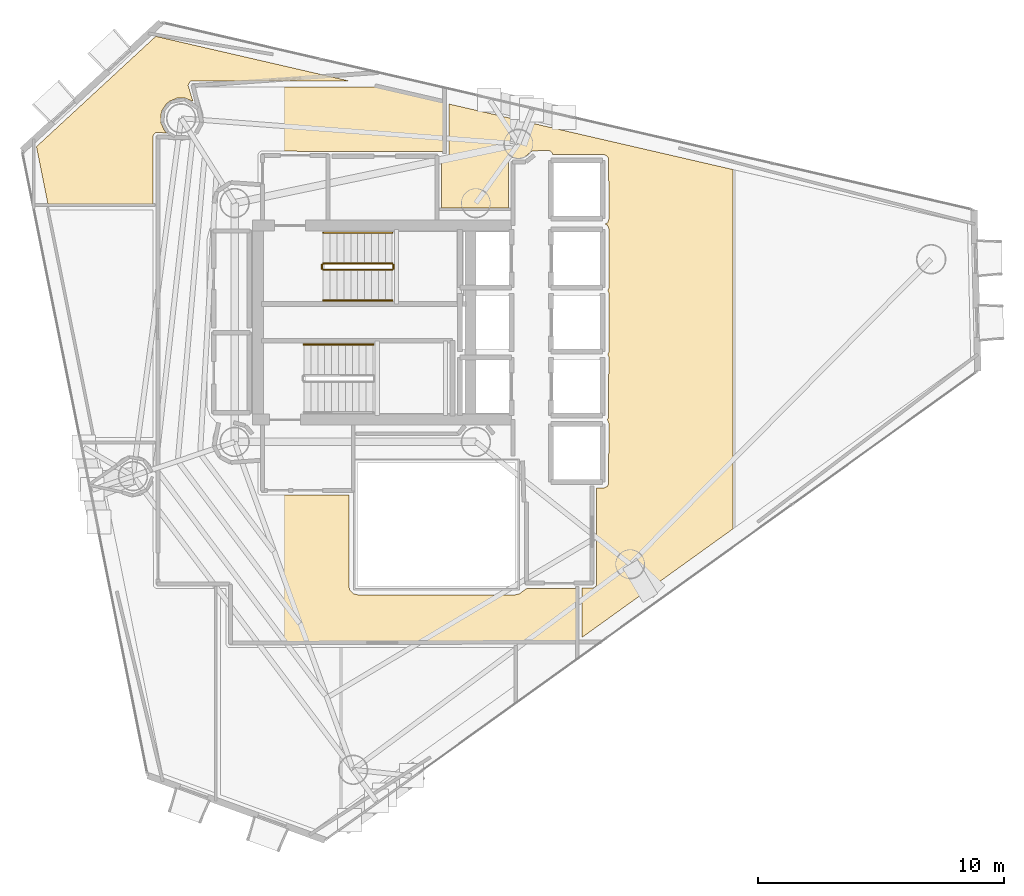
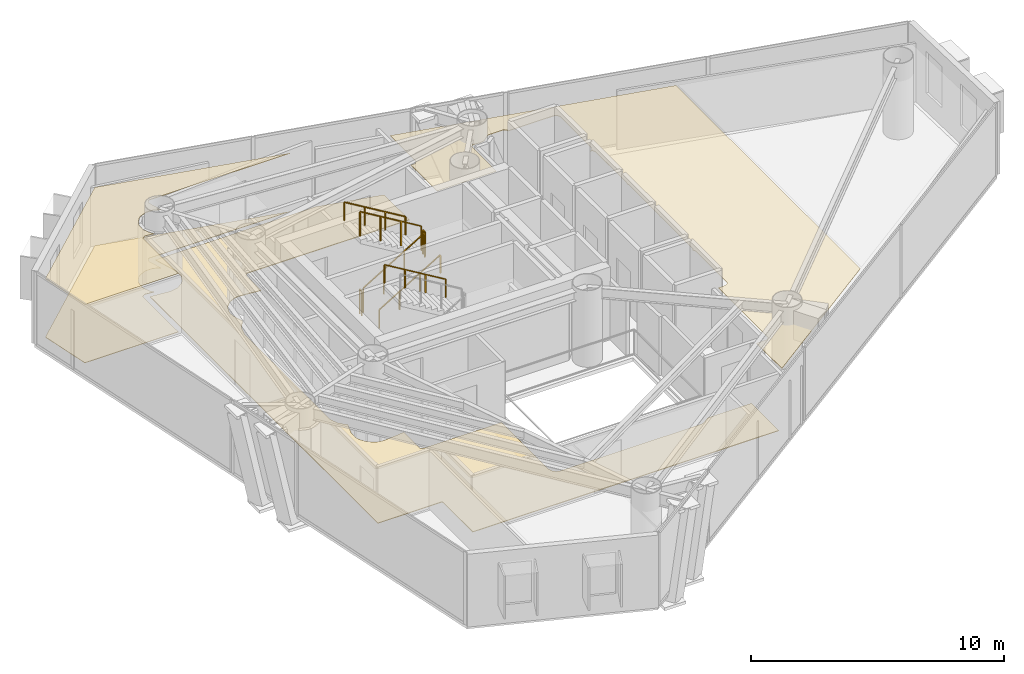
# One storey, part 21 of 22: 7 railings, 4 coverings.
"""IFC4 building model written with IfcOpenShell, lengths in metres."""

from ifc_helpers import new_model, si_unit, direction, frame, origin, origin_2d, place, context, subcontext, project, spatial, polyline, rectangle, outline, extrude, material, layer, layer_set, type_object, element, save


model = new_model("IFC4")

# Units and contexts
model_context = context("Model", 3, precision=1e-05, world=origin(), true_north=direction((0.0, 1.0)))
body_context = subcontext(model_context, "Body", "Model", "MODEL_VIEW")
ifc_project = project(units=[si_unit("LENGTHUNIT", "METRE"), si_unit("AREAUNIT", "SQUARE_METRE"), si_unit("VOLUMEUNIT", "CUBIC_METRE"), si_unit("PLANEANGLEUNIT", "RADIAN"), si_unit("MASSUNIT", "GRAM", prefix="KILO")], contexts=[model_context])

# Site, building, storey
site_placement = place(None, origin())
site = spatial("IfcSite", under=ifc_project, at=site_placement, CompositionType="ELEMENT")
building_placement = place(site_placement, origin())
building = spatial("IfcBuilding", under=site, at=building_placement, Name="Qianvela Tower", CompositionType="ELEMENT")
storey_placement = place(building_placement, frame((0.0, 0.0, 204.0)))
storey = spatial("IfcBuildingStorey", under=building, at=storey_placement, Name="L52", CompositionType="ELEMENT", Elevation=204.0)

# Coverings
ifc_material_1 = material(Name="Perforated Mineral Acoustic Ceiling Tile")
ifc_layer_1 = layer(ifc_material_1, 0.02490234375)
ifc_layer_set_1 = layer_set([ifc_layer_1], Name="Perforated Mineral Acoustic Ceiling Tile")
covering_type_1 = type_object("IfcCoveringType", Name="COV-CEIL-ACOUSTIC-25", PredefinedType="CEILING", material=ifc_layer_set_1)
covering_1_placement = place(storey_placement, frame((0.0, 0.0, 2.81494140625)))
element("IfcCovering", 1, at=covering_1_placement, inside=storey, type_object=covering_type_1, Name="L52 Acoustic Ceiling Bay 1 Collaborative Co-working Office L52-02", PredefinedType="CEILING", context=body_context, shape_type="SweptSolid", body=[
    extrude(outline(polyline([(42.70751953125, 17.920166015625), (43.157958984375, 17.92041015625), (43.165771484375, 17.9208984375), (43.173583984375, 17.921875), (43.18115234375, 17.923828125), (43.1884765625, 17.926513671875), (43.195556640625, 17.9296875), (43.202392578125, 17.933837890625), (43.20849609375, 17.9384765625), (43.21435546875, 17.94384765625), (43.2861328125, 18.015625), (43.29150390625, 18.021484375), (43.296142578125, 18.027587890625), (43.30029296875, 18.034423828125), (43.303466796875, 18.04150390625), (43.30615234375, 18.048828125), (43.30810546875, 18.056640625), (43.30908203125, 18.064208984375), (43.3095703125, 18.072265625), (43.309326171875, 21.980712890625), (43.60791015625, 21.982666015625), (43.615478515625, 21.983154296875), (43.623291015625, 21.984375), (43.630859375, 21.986083984375), (43.637939453125, 21.98876953125), (43.64501953125, 21.9921875), (43.716796875, 22.030517578125), (43.723388671875, 22.034423828125), (43.729736328125, 22.039306640625), (43.735595703125, 22.04443359375), (43.74072265625, 22.05029296875), (43.74560546875, 22.056640625), (43.74951171875, 22.063232421875), (43.787841796875, 22.135009765625), (43.791259765625, 22.14208984375), (43.7939453125, 22.1494140625), (43.7958984375, 22.156982421875), (43.796875, 22.164794921875), (43.79736328125, 22.172607421875), (43.79931640625, 24.61376953125), (43.799072265625, 24.62060546875), (43.798095703125, 24.627685546875), (43.79638671875, 24.634765625), (43.79443359375, 24.641357421875), (43.79150390625, 24.64794921875), (43.751220703125, 24.733154296875), (43.74755859375, 24.739990234375), (43.743408203125, 24.74658203125), (43.738525390625, 24.752197265625), (43.780517578125, 24.81494140625), (43.784423828125, 24.821533203125), (43.787841796875, 24.82861328125), (43.79052734375, 24.8359375), (43.79248046875, 24.843505859375), (43.793701171875, 24.851318359375), (43.7939453125, 24.859130859375), (43.800048828125, 27.2998046875), (43.799560546875, 27.307861328125), (43.79833984375, 27.315673828125), (43.79638671875, 27.323486328125), (43.793701171875, 27.3310546875), (43.7646484375, 27.39990234375), (43.793701171875, 27.468994140625), (43.79638671875, 27.476318359375), (43.79833984375, 27.484130859375), (43.799560546875, 27.491943359375), (43.800048828125, 27.5), (43.800048828125, 29.89990234375), (43.799560546875, 29.907958984375), (43.79833984375, 29.915771484375), (43.79638671875, 29.923583984375), (43.793701171875, 29.93115234375), (43.7646484375, 30.0), (43.793701171875, 30.06884765625), (43.79638671875, 30.076416015625), (43.79833984375, 30.084228515625), (43.799560546875, 30.092041015625), (43.800048828125, 30.10009765625), (43.79931640625, 32.513671875), (43.798828125, 32.522705078125), (43.79736328125, 32.53125), (43.794921875, 32.539794921875), (43.79150390625, 32.5478515625), (43.751220703125, 32.63330078125), (43.74755859375, 32.64013671875), (43.743408203125, 32.646728515625), (43.73828125, 32.652587890625), (43.732666015625, 32.658203125), (43.726806640625, 32.663330078125), (43.72021484375, 32.66748046875), (43.713134765625, 32.67138671875), (43.646484375, 32.702880859375), (43.722412109375, 32.739013671875), (43.729248046875, 32.74267578125), (43.73583984375, 32.746826171875), (43.741943359375, 32.751953125), (43.74755859375, 32.757568359375), (43.75244140625, 32.763427734375), (43.7568359375, 32.77001953125), (43.760498046875, 32.777099609375), (43.763427734375, 32.7841796875), (43.79541015625, 32.873046875), (43.79736328125, 32.879638671875), (43.798828125, 32.886474609375), (43.7998046875, 32.893310546875), (43.800048828125, 32.900146484375), (43.79736328125, 35.327392578125), (43.796875, 35.3359375), (43.79541015625, 35.344482421875), (43.793212890625, 35.352783203125), (43.7900390625, 35.36083984375), (43.785888671875, 35.368408203125), (43.7373046875, 35.44921875), (43.732666015625, 35.456298828125), (43.727294921875, 35.462890625), (43.72119140625, 35.46875), (43.71435546875, 35.47412109375), (43.70703125, 35.478515625), (43.699462890625, 35.482177734375), (43.624267578125, 35.51318359375), (43.616943359375, 35.515869140625), (43.609375, 35.517822265625), (43.6015625, 35.518798828125), (43.59375, 35.519287109375), (41.515625, 35.52001953125), (41.513916015625, 35.554931640625), (41.512939453125, 35.563232421875), (41.51123046875, 35.5712890625), (41.508544921875, 35.5791015625), (41.50537109375, 35.5869140625), (41.501220703125, 35.593994140625), (41.496337890625, 35.6005859375), (41.49072265625, 35.60693359375), (41.484619140625, 35.612548828125), (41.426513671875, 35.660400390625), (41.419921875, 35.6650390625), (41.413330078125, 35.6689453125), (41.406005859375, 35.67236328125), (41.398681640625, 35.675048828125), (41.39111328125, 35.677001953125), (41.38330078125, 35.677978515625), (41.37548828125, 35.678466796875), (40.726806640625, 35.676513671875), (40.718994140625, 35.67626953125), (40.71142578125, 35.675048828125), (40.7041015625, 35.67333984375), (40.697021484375, 35.670654296875), (40.68994140625, 35.66748046875), (40.683349609375, 35.663818359375), (40.677001953125, 35.6591796875), (40.35986328125, 35.40673828125), (40.129150390625, 35.36083984375), (39.884521484375, 35.402099609375), (39.87646484375, 35.403076171875), (39.8681640625, 35.4033203125), (39.860107421875, 35.402587890625), (39.85205078125, 35.40087890625), (39.84423828125, 35.398681640625), (39.8369140625, 35.3955078125), (39.82958984375, 35.3916015625), (39.822998046875, 35.38720703125), (39.7578125, 35.337890625), (39.75146484375, 35.332763671875), (39.745849609375, 35.326904296875), (39.74072265625, 35.3203125), (39.736328125, 35.3134765625), (39.732666015625, 35.30615234375), (39.729736328125, 35.298583984375), (39.727783203125, 35.29052734375), (39.726318359375, 35.282470703125), (39.72607421875, 35.2744140625), (39.72021484375, 33.342041015625), (37.010009765625, 33.342041015625), (37.010009765625, 35.40087890625), (37.165771484375, 35.401611328125), (37.174072265625, 35.402099609375), (37.18212890625, 35.4033203125), (37.190185546875, 35.405517578125), (37.197998046875, 35.408447265625), (37.205322265625, 35.412109375), (37.21240234375, 35.416748046875), (37.21875, 35.421875), (37.224609375, 35.427734375), (37.288818359375, 35.498291015625), (37.29345703125, 35.50390625), (37.297607421875, 35.510009765625), (37.30126953125, 35.5166015625), (37.30419921875, 35.523193359375), (37.306640625, 35.5302734375), (37.308349609375, 35.53759765625), (37.309326171875, 35.544921875), (37.3095703125, 35.552001953125), (37.31005859375, 37.57568359375), (48.844482421875, 34.9140625), (48.844482421875, 20.31689453125), (42.709716796875, 15.906494140625), (42.70751953125, 17.920166015625)])), origin(), (0.0, 0.0, 1.0), 0.025146484375),
])
covering_2_placement = place(storey_placement, frame((0.0, 0.0, 2.81494140625)))
element("IfcCovering", 2, at=covering_2_placement, inside=storey, type_object=covering_type_1, Name="L52 Acoustic Ceiling Quiet Desk Workspace L52-03", PredefinedType="CEILING", context=body_context, shape_type="SweptSolid", body=[
    extrude(outline(polyline([(25.845947265625, 36.39013671875), (25.457763671875, 36.42822265625), (25.449462890625, 36.4287109375), (25.44091796875, 36.427978515625), (25.4326171875, 36.4267578125), (25.424560546875, 36.424560546875), (25.416748046875, 36.42138671875), (25.409423828125, 36.41748046875), (25.40234375, 36.412841796875), (25.32568359375, 36.356201171875), (25.3193359375, 36.350830078125), (25.313720703125, 36.344970703125), (25.308349609375, 36.33837890625), (25.303955078125, 36.33154296875), (25.30029296875, 36.32421875), (25.29736328125, 36.31640625), (25.295166015625, 36.308349609375), (25.2939453125, 36.30029296875), (25.29345703125, 36.2919921875), (25.2900390625, 33.52197265625), (21.01708984375, 33.52197265625), (20.55078125, 35.843994140625), (25.398193359375, 40.32421875), (33.2626953125, 38.509521484375), (26.841064453125, 38.50390625), (26.833251953125, 38.50341796875), (26.825439453125, 38.50244140625), (26.81787109375, 38.50048828125), (26.810546875, 38.497802734375), (26.803466796875, 38.494384765625), (26.796630859375, 38.490478515625), (26.790283203125, 38.485595703125), (26.78466796875, 38.48046875), (26.779296875, 38.474609375), (26.774658203125, 38.468505859375), (26.770751953125, 38.461669921875), (26.722900390625, 38.3720703125), (26.719482421875, 38.364990234375), (26.716796875, 38.357666015625), (26.71484375, 38.35009765625), (26.7138671875, 38.34228515625), (26.71337890625, 38.33447265625), (26.713623046875, 38.32666015625), (26.71484375, 38.31884765625), (26.716796875, 38.311279296875), (26.906982421875, 37.68310546875), (26.904052734375, 37.685791015625), (26.897705078125, 37.6904296875), (26.890869140625, 37.694580078125), (26.8837890625, 37.69775390625), (26.60986328125, 37.811279296875), (26.6025390625, 37.81396484375), (26.594970703125, 37.81591796875), (26.587158203125, 37.81689453125), (26.579345703125, 37.8173828125), (26.28271484375, 37.8173828125), (26.27490234375, 37.81689453125), (26.26708984375, 37.81591796875), (26.259521484375, 37.81396484375), (26.252197265625, 37.811279296875), (25.978271484375, 37.69775390625), (25.97119140625, 37.694580078125), (25.96435546875, 37.6904296875), (25.9580078125, 37.685791015625), (25.8427734375, 37.59130859375), (25.8369140625, 37.5859375), (25.831787109375, 37.580078125), (25.8271484375, 37.57373046875), (25.662353515625, 37.327392578125), (25.658203125, 37.320556640625), (25.65478515625, 37.3134765625), (25.65234375, 37.30615234375), (25.60888671875, 37.16357421875), (25.607177734375, 37.156005859375), (25.60595703125, 37.148193359375), (25.605712890625, 37.140380859375), (25.605712890625, 36.84375), (25.60595703125, 36.8359375), (25.607177734375, 36.828125), (25.60888671875, 36.820556640625), (25.61181640625, 36.81298828125), (25.72509765625, 36.539306640625), (25.728515625, 36.531982421875), (25.732666015625, 36.525390625), (25.7373046875, 36.51904296875), (25.831787109375, 36.40380859375), (25.8369140625, 36.39794921875), (25.8427734375, 36.392822265625), (25.845947265625, 36.39013671875)])), origin(), (0.0, 0.0, 1.0), 0.025146484375),
])
ifc_material_2 = material(Name="Engineered Acoustic Oak Timber Flooring", Category="wood")
ifc_layer_2 = layer(ifc_material_2, 0.02001953125)
ifc_layer_set_2 = layer_set([ifc_layer_2], Name="Engineered Acoustic Oak Timber Flooring")
covering_type_2 = type_object("IfcCoveringType", Name="COV-FLOOR-OAK-20", PredefinedType="FLOORING", material=ifc_layer_set_2)
covering_3_placement = place(storey_placement, origin())
element("IfcCovering", 3, at=covering_3_placement, inside=storey, type_object=covering_type_2, Name="L52 Finish Flooring Quiet Desk Workspace L52-03", PredefinedType="FLOORING", context=body_context, shape_type="SweptSolid", body=[
    extrude(outline(polyline([(25.845947265625, 36.39013671875), (25.457763671875, 36.42822265625), (25.449462890625, 36.4287109375), (25.44091796875, 36.427978515625), (25.4326171875, 36.4267578125), (25.424560546875, 36.424560546875), (25.416748046875, 36.42138671875), (25.409423828125, 36.41748046875), (25.40234375, 36.412841796875), (25.32568359375, 36.356201171875), (25.3193359375, 36.350830078125), (25.313720703125, 36.344970703125), (25.308349609375, 36.33837890625), (25.303955078125, 36.33154296875), (25.30029296875, 36.32421875), (25.29736328125, 36.31640625), (25.295166015625, 36.308349609375), (25.2939453125, 36.30029296875), (25.29345703125, 36.2919921875), (25.2900390625, 33.52197265625), (21.01708984375, 33.52197265625), (20.55078125, 35.843994140625), (25.398193359375, 40.32421875), (33.2626953125, 38.509521484375), (26.841064453125, 38.50390625), (26.833251953125, 38.50341796875), (26.825439453125, 38.50244140625), (26.81787109375, 38.50048828125), (26.810546875, 38.497802734375), (26.803466796875, 38.494384765625), (26.796630859375, 38.490478515625), (26.790283203125, 38.485595703125), (26.78466796875, 38.48046875), (26.779296875, 38.474609375), (26.774658203125, 38.468505859375), (26.770751953125, 38.461669921875), (26.722900390625, 38.3720703125), (26.719482421875, 38.364990234375), (26.716796875, 38.357666015625), (26.71484375, 38.35009765625), (26.7138671875, 38.34228515625), (26.71337890625, 38.33447265625), (26.713623046875, 38.32666015625), (26.71484375, 38.31884765625), (26.716796875, 38.311279296875), (26.906982421875, 37.68310546875), (26.904052734375, 37.685791015625), (26.897705078125, 37.6904296875), (26.890869140625, 37.694580078125), (26.8837890625, 37.69775390625), (26.60986328125, 37.811279296875), (26.6025390625, 37.81396484375), (26.594970703125, 37.81591796875), (26.587158203125, 37.81689453125), (26.579345703125, 37.8173828125), (26.28271484375, 37.8173828125), (26.27490234375, 37.81689453125), (26.26708984375, 37.81591796875), (26.259521484375, 37.81396484375), (26.252197265625, 37.811279296875), (25.978271484375, 37.69775390625), (25.97119140625, 37.694580078125), (25.96435546875, 37.6904296875), (25.9580078125, 37.685791015625), (25.8427734375, 37.59130859375), (25.8369140625, 37.5859375), (25.831787109375, 37.580078125), (25.8271484375, 37.57373046875), (25.662353515625, 37.327392578125), (25.658203125, 37.320556640625), (25.65478515625, 37.3134765625), (25.65234375, 37.30615234375), (25.60888671875, 37.16357421875), (25.607177734375, 37.156005859375), (25.60595703125, 37.148193359375), (25.605712890625, 37.140380859375), (25.605712890625, 36.84375), (25.60595703125, 36.8359375), (25.607177734375, 36.828125), (25.60888671875, 36.820556640625), (25.61181640625, 36.81298828125), (25.72509765625, 36.539306640625), (25.728515625, 36.531982421875), (25.732666015625, 36.525390625), (25.7373046875, 36.51904296875), (25.831787109375, 36.40380859375), (25.8369140625, 36.39794921875), (25.8427734375, 36.392822265625), (25.845947265625, 36.39013671875)])), origin(), (0.0, 0.0, 1.0), 0.02001953125),
])
ifc_material_3 = material(Name="Honed Stone Terrazzo Flooring", Category="masonry")
ifc_layer_3 = layer(ifc_material_3, 0.030029296875)
ifc_layer_set_3 = layer_set([ifc_layer_3], Name="Honed Stone Terrazzo Flooring")
covering_type_3 = type_object("IfcCoveringType", Name="COV-FLOOR-TERRAZZO-30", PredefinedType="FLOORING", material=ifc_layer_set_3)
covering_4_placement = place(storey_placement, origin())
element("IfcCovering", 4, at=covering_4_placement, inside=storey, type_object=covering_type_3, Name="L52 Finish Flooring L52 Floor Corridor", PredefinedType="FLOORING", context=body_context, shape_type="SweptSolid", body=[
    extrude(outline(polyline([(27.30908203125, 36.801513671875), (27.311767578125, 36.808837890625), (27.313720703125, 36.81640625), (27.31494140625, 36.82421875), (27.315185546875, 36.83203125), (27.315185546875, 37.152099609375), (27.31494140625, 37.159912109375), (27.313720703125, 37.16748046875), (27.311767578125, 37.17529296875), (26.979736328125, 38.27001953125), (34.30029296875, 38.27001953125), (37.070068359375, 37.630859375), (37.070068359375, 35.64013671875), (29.68798828125, 35.660888671875), (29.680419921875, 35.660400390625), (29.672607421875, 35.6591796875), (29.664794921875, 35.657470703125), (29.657470703125, 35.65478515625), (29.650390625, 35.6513671875), (29.6435546875, 35.6474609375), (29.63720703125, 35.642578125), (29.63134765625, 35.637451171875), (29.626220703125, 35.631591796875), (29.576171875, 35.57080078125), (29.571533203125, 35.564453125), (29.5673828125, 35.5576171875), (29.564208984375, 35.550537109375), (29.561279296875, 35.543212890625), (29.5595703125, 35.53564453125), (29.558349609375, 35.52783203125), (29.55810546875, 35.52001953125), (29.55810546875, 34.35595703125), (28.60791015625, 34.44970703125), (28.60009765625, 34.449951171875), (28.59228515625, 34.44970703125), (28.43212890625, 34.433837890625), (28.42431640625, 34.4326171875), (28.416748046875, 34.430908203125), (28.409423828125, 34.42822265625), (28.11376953125, 34.3056640625), (28.106689453125, 34.302490234375), (28.10009765625, 34.29833984375), (28.09375, 34.293701171875), (28.087890625, 34.288330078125), (27.861572265625, 34.06201171875), (27.8564453125, 34.056396484375), (27.851806640625, 34.050048828125), (27.84765625, 34.043212890625), (27.84423828125, 34.0361328125), (27.7216796875, 33.740478515625), (27.71923828125, 33.733154296875), (27.71728515625, 33.7255859375), (27.716064453125, 33.7177734375), (27.700439453125, 33.557861328125), (27.699951171875, 33.550048828125), (27.700439453125, 33.542236328125), (27.716064453125, 33.382080078125), (27.71728515625, 33.37451171875), (27.71923828125, 33.36669921875), (27.865478515625, 32.884521484375), (27.60107421875, 32.52685546875), (27.5966796875, 32.5205078125), (27.593017578125, 32.513427734375), (27.590087890625, 32.50634765625), (27.587890625, 32.4990234375), (27.472412109375, 32.0458984375), (27.47119140625, 32.039306640625), (27.47021484375, 32.03271484375), (27.469970703125, 32.026123046875), (27.469970703125, 25.291259765625), (27.47021484375, 25.2841796875), (27.47119140625, 25.27734375), (27.47265625, 25.2705078125), (27.474853515625, 25.263916015625), (27.59326171875, 24.938232421875), (27.59619140625, 24.93115234375), (27.599853515625, 24.92431640625), (27.604248046875, 24.91796875), (27.609130859375, 24.911865234375), (27.89111328125, 24.599853515625), (27.71923828125, 24.033203125), (27.71728515625, 24.025634765625), (27.716064453125, 24.017822265625), (27.7158203125, 24.010009765625), (27.7158203125, 23.68994140625), (27.716064453125, 23.68212890625), (27.71728515625, 23.67431640625), (27.71923828125, 23.666748046875), (27.765869140625, 23.512939453125), (27.7685546875, 23.505615234375), (27.77197265625, 23.49853515625), (27.77587890625, 23.49169921875), (27.95361328125, 23.2255859375), (27.958251953125, 23.219482421875), (27.963623046875, 23.213623046875), (27.969482421875, 23.208251953125), (27.9755859375, 23.20361328125), (28.24169921875, 23.02587890625), (28.24853515625, 23.02197265625), (28.255615234375, 23.0185546875), (28.262939453125, 23.015869140625), (28.416748046875, 22.96923828125), (28.42431640625, 22.96728515625), (28.43212890625, 22.966064453125), (28.59228515625, 22.950439453125), (28.60009765625, 22.949951171875), (28.60791015625, 22.950439453125), (29.55810546875, 23.0439453125), (29.55810546875, 21.780029296875), (29.558349609375, 21.772216796875), (29.5595703125, 21.764404296875), (29.561279296875, 21.7568359375), (29.564208984375, 21.74951171875), (29.5673828125, 21.7421875), (29.571533203125, 21.735595703125), (29.576171875, 21.729248046875), (29.581298828125, 21.723388671875), (29.587158203125, 21.71826171875), (29.593505859375, 21.71337890625), (29.600341796875, 21.70947265625), (29.607421875, 21.7060546875), (29.61474609375, 21.703369140625), (29.622314453125, 21.701416015625), (29.630126953125, 21.700439453125), (29.637939453125, 21.699951171875), (33.239990234375, 21.699951171875), (33.239990234375, 18.0), (33.240478515625, 17.990234375), (33.242431640625, 17.980712890625), (33.275390625, 17.8486328125), (33.277587890625, 17.841796875), (33.2802734375, 17.8349609375), (33.283447265625, 17.82861328125), (33.287353515625, 17.822509765625), (33.29150390625, 17.81689453125), (33.29638671875, 17.811279296875), (33.411376953125, 17.696533203125), (33.41796875, 17.690673828125), (33.4248046875, 17.685791015625), (33.432373046875, 17.681396484375), (33.440185546875, 17.677978515625), (33.448486328125, 17.675537109375), (33.58056640625, 17.642333984375), (33.5869140625, 17.64111328125), (33.593505859375, 17.640380859375), (33.60009765625, 17.639892578125), (40.0, 17.639892578125), (40.006591796875, 17.640380859375), (40.012939453125, 17.64111328125), (40.019287109375, 17.642333984375), (40.1513671875, 17.675537109375), (40.15869140625, 17.677734375), (40.166015625, 17.6806640625), (40.172607421875, 17.68408203125), (40.17919921875, 17.6884765625), (40.45947265625, 17.89306640625), (42.469970703125, 17.899658203125), (42.469970703125, 15.734130859375), (42.464111328125, 15.72998046875), (28.47998046875, 15.72998046875), (28.47998046875, 18.050048828125), (28.4794921875, 18.057861328125), (28.478515625, 18.065673828125), (28.4765625, 18.0732421875), (28.473876953125, 18.08056640625), (28.470703125, 18.087646484375), (28.466552734375, 18.094482421875), (28.4619140625, 18.100830078125), (28.45654296875, 18.106689453125), (28.45068359375, 18.11181640625), (28.4443359375, 18.116455078125), (28.437744140625, 18.12060546875), (28.4306640625, 18.123779296875), (28.423095703125, 18.126708984375), (28.41552734375, 18.12841796875), (28.40771484375, 18.129638671875), (28.39990234375, 18.1298828125), (25.530029296875, 18.1298828125), (25.530029296875, 36.180419921875), (26.423095703125, 36.09228515625), (26.430908203125, 36.092041015625), (26.438720703125, 36.09228515625), (26.446533203125, 36.093505859375), (26.760498046875, 36.156005859375), (26.76806640625, 36.157958984375), (26.775390625, 36.160400390625), (26.782470703125, 36.163818359375), (26.789306640625, 36.16796875), (27.055419921875, 36.345703125), (27.0615234375, 36.350341796875), (27.0673828125, 36.355712890625), (27.07275390625, 36.361328125), (27.174560546875, 36.485595703125), (27.17919921875, 36.491943359375), (27.183349609375, 36.498779296875), (27.186767578125, 36.505859375), (27.30908203125, 36.801513671875)])), origin(), (0.0, 0.0, 1.0), 0.030029296875),
])

# Railings
ifc_material_4 = material(Name="Painted Tubular Steel Q355B", Category="steel")
railing_type_1 = type_object("IfcRailingType", Name="RL-STAIR-GUARD-1200", PredefinedType="GUARDRAIL", material=ifc_material_4)
railing_1_placement = place(storey_placement, frame((32.199951171875, 30.840087890625, 0.168212890625)))
element("IfcRailing", 5, at=railing_1_placement, inside=storey, type_object=railing_type_1, Name="L52 ST-1 stair guard 1", PredefinedType="GUARDRAIL", context=body_context, shape_type="SweptSolid", body=[
    extrude(rectangle(XDim=0.050048828125, YDim=0.0400390625, at=origin_2d()), frame((0.0, 0.0, 1.179931640625), z_axis=(0.857242210791, 0.0, 0.514913383045), x_axis=(0.0, 1.0, 0.0)), (0.0, 0.0, 1.0), 3.266357421875),
    extrude(rectangle(XDim=0.050048828125, YDim=0.050048828125, at=origin_2d()), origin(), (0.0, 0.0, 1.0), 1.159912109375),
    extrude(rectangle(XDim=0.050048828125, YDim=0.050048828125, at=origin_2d()), frame((0.933349609375, 0.0, 0.560546875)), (0.0, 0.0, 1.0), 1.159912109375),
    extrude(rectangle(XDim=0.050048828125, YDim=0.050048828125, at=origin_2d()), frame((1.86669921875, 0.0, 1.121337890625)), (0.0, 0.0, 1.0), 1.159912109375),
    extrude(rectangle(XDim=0.050048828125, YDim=0.050048828125, at=origin_2d()), frame((2.800048828125, 0.0, 1.681884765625)), (0.0, 0.0, 1.0), 1.159912109375),
])
railing_2_placement = place(storey_placement, frame((35.050048828125, 30.889892578125, 1.85009765625)))
element("IfcRailing", 6, at=railing_2_placement, inside=storey, type_object=railing_type_1, Name="L52 ST-1 stair guard 2", PredefinedType="GUARDRAIL", context=body_context, shape_type="SweptSolid", body=[
    extrude(rectangle(XDim=0.050048828125, YDim=0.0400390625, at=origin_2d()), frame((0.0, 0.0, 1.179931640625), z_axis=(0.0, 1.0, 0.0), x_axis=(-1.0, 0.0, 0.0)), (0.0, 0.0, 1.0), 0.16015625),
    extrude(rectangle(XDim=0.050048828125, YDim=0.050048828125, at=origin_2d()), origin(), (0.0, 0.0, 1.0), 1.159912109375),
    extrude(rectangle(XDim=0.050048828125, YDim=0.050048828125, at=origin_2d()), frame((0.0, 0.16015625, 0.0)), (0.0, 0.0, 1.0), 1.159912109375),
])
railing_3_placement = place(storey_placement, frame((35.0, 31.10009765625, 2.01806640625)))
element("IfcRailing", 7, at=railing_3_placement, inside=storey, type_object=railing_type_1, Name="L52 ST-1 stair guard 3", PredefinedType="GUARDRAIL", context=body_context, shape_type="SweptSolid", body=[
    extrude(rectangle(XDim=0.050048828125, YDim=0.0400390625, at=origin_2d()), frame((0.0, 0.0, 1.179931640625), z_axis=(-0.857242210791, 0.0, 0.514913383045), x_axis=(0.0, -1.0, 0.0)), (0.0, 0.0, 1.0), 3.266357421875),
    extrude(rectangle(XDim=0.050048828125, YDim=0.050048828125, at=origin_2d()), origin(), (0.0, 0.0, 1.0), 1.159912109375),
    extrude(rectangle(XDim=0.050048828125, YDim=0.050048828125, at=origin_2d()), frame((-0.933349609375, 0.0, 0.560546875)), (0.0, 0.0, 1.0), 1.159912109375),
    extrude(rectangle(XDim=0.050048828125, YDim=0.050048828125, at=origin_2d()), frame((-1.86669921875, 0.0, 1.121337890625)), (0.0, 0.0, 1.0), 1.159912109375),
    extrude(rectangle(XDim=0.050048828125, YDim=0.050048828125, at=origin_2d()), frame((-2.800048828125, 0.0, 1.681884765625)), (0.0, 0.0, 1.0), 1.159912109375),
])
railing_4_placement = place(storey_placement, frame((32.14990234375, 30.889892578125, 0.0)))
element("IfcRailing", 8, at=railing_4_placement, inside=storey, type_object=railing_type_1, Name="L52 ST-1 stair guard 4", PredefinedType="GUARDRAIL", context=body_context, shape_type="SweptSolid", body=[
    extrude(rectangle(XDim=0.050048828125, YDim=0.0400390625, at=origin_2d()), frame((0.0, 0.0, 1.179931640625), z_axis=(0.0, 1.0, 0.0), x_axis=(-1.0, 0.0, 0.0)), (0.0, 0.0, 1.0), 0.16015625),
    extrude(rectangle(XDim=0.050048828125, YDim=0.050048828125, at=origin_2d()), origin(), (0.0, 0.0, 1.0), 1.159912109375),
    extrude(rectangle(XDim=0.050048828125, YDim=0.050048828125, at=origin_2d()), frame((0.0, 0.16015625, 0.0)), (0.0, 0.0, 1.0), 1.159912109375),
])
ifc_material_5 = material(Name="Brushed Stainless Steel 304", Category="steel")
railing_type_2 = type_object("IfcRailingType", Name="RL-STAIR-HANDRAIL-900", PredefinedType="HANDRAIL", material=ifc_material_5)
railing_5_placement = place(storey_placement, frame((32.199951171875, 29.590087890625, 0.168212890625)))
element("IfcRailing", 9, at=railing_5_placement, inside=storey, type_object=railing_type_2, Name="L52 ST-1 stair handrail 1", PredefinedType="HANDRAIL", context=body_context, shape_type="SweptSolid", body=[
    extrude(rectangle(XDim=0.050048828125, YDim=0.0400390625, at=origin_2d()), frame((0.0, 0.0, 0.8798828125), z_axis=(0.857242210791, 0.0, 0.514913383045), x_axis=(0.0, 1.0, 0.0)), (0.0, 0.0, 1.0), 3.266357421875),
    extrude(rectangle(XDim=0.050048828125, YDim=0.050048828125, at=origin_2d()), origin(), (0.0, 0.0, 1.0), 0.85986328125),
    extrude(rectangle(XDim=0.050048828125, YDim=0.050048828125, at=origin_2d()), frame((0.933349609375, 0.0, 0.560546875)), (0.0, 0.0, 1.0), 0.85986328125),
    extrude(rectangle(XDim=0.050048828125, YDim=0.050048828125, at=origin_2d()), frame((1.86669921875, 0.0, 1.121337890625)), (0.0, 0.0, 1.0), 0.85986328125),
    extrude(rectangle(XDim=0.050048828125, YDim=0.050048828125, at=origin_2d()), frame((2.800048828125, 0.0, 1.681884765625)), (0.0, 0.0, 1.0), 0.85986328125),
])
for number, where, name in (
    (10, (35.0, 32.35009765625, 2.01806640625), "L52 ST-1 stair handrail 2"),
    (11, (34.219970703125, 27.81005859375, 2.01806640625), "L52 ST-2 stair handrail 2"),
):
    element("IfcRailing", number, at=place(storey_placement, frame(where)), inside=storey, type_object=railing_type_2, Name=name, PredefinedType="HANDRAIL", context=body_context, shape_type="SweptSolid", body=[
        extrude(rectangle(XDim=0.050048828125, YDim=0.0400390625, at=origin_2d()), frame((0.0, 0.0, 0.8798828125), z_axis=(-0.857242210791, 0.0, 0.514913383045), x_axis=(0.0, -1.0, 0.0)), (0.0, 0.0, 1.0), 3.266357421875),
        extrude(rectangle(XDim=0.050048828125, YDim=0.050048828125, at=origin_2d()), origin(), (0.0, 0.0, 1.0), 0.85986328125),
        extrude(rectangle(XDim=0.050048828125, YDim=0.050048828125, at=origin_2d()), frame((-0.933349609375, 0.0, 0.560546875)), (0.0, 0.0, 1.0), 0.85986328125),
        extrude(rectangle(XDim=0.050048828125, YDim=0.050048828125, at=origin_2d()), frame((-1.86669921875, 0.0, 1.121337890625)), (0.0, 0.0, 1.0), 0.85986328125),
        extrude(rectangle(XDim=0.050048828125, YDim=0.050048828125, at=origin_2d()), frame((-2.800048828125, 0.0, 1.681884765625)), (0.0, 0.0, 1.0), 0.85986328125),
    ])

save(model, "model.ifc")
